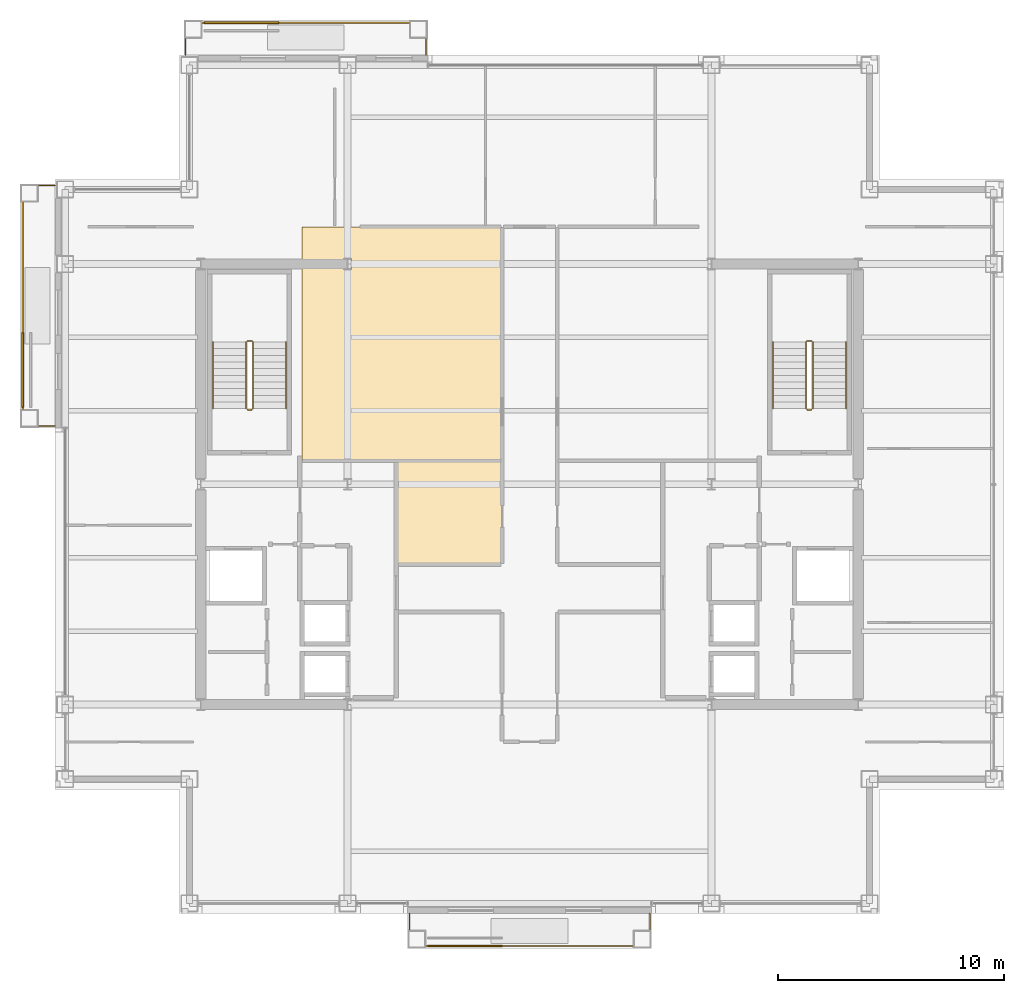
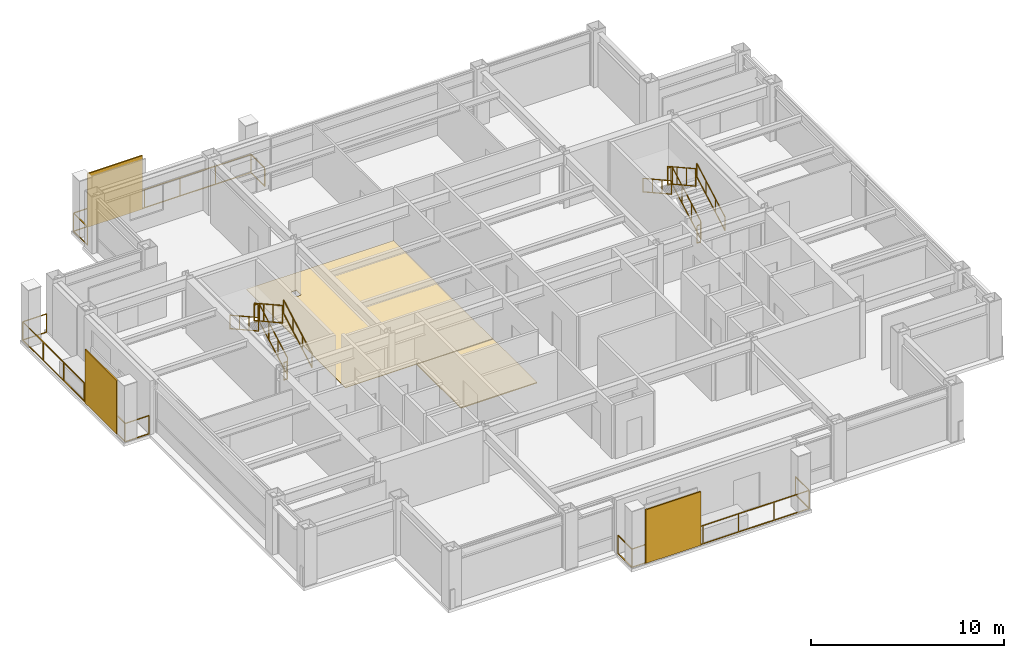
# One storey, part 27 of 28: 15 railings, 3 shading devices, 2 coverings.
"""IFC4 building model written with IfcOpenShell, lengths in metres."""

from ifc_helpers import new_model, si_unit, direction, frame, origin, origin_2d, place, context, subcontext, project, spatial, polyline, rectangle, outline, extrude, material, layer, layer_set, type_object, element, save


model = new_model("IFC4")

# Units and contexts
model_context = context("Model", 3, precision=1e-05, world=origin(), true_north=direction((0.0, 1.0)))
body_context = subcontext(model_context, "Body", "Model", "MODEL_VIEW")
ifc_project = project(units=[si_unit("LENGTHUNIT", "METRE"), si_unit("AREAUNIT", "SQUARE_METRE"), si_unit("VOLUMEUNIT", "CUBIC_METRE"), si_unit("PLANEANGLEUNIT", "RADIAN"), si_unit("MASSUNIT", "GRAM", prefix="KILO")], contexts=[model_context])

# Site, building, storey
site_placement = place(None, origin())
site = spatial("IfcSite", under=ifc_project, at=site_placement, CompositionType="ELEMENT")
building_placement = place(site_placement, origin())
building = spatial("IfcBuilding", under=site, at=building_placement, Name="Brelmoor Portico Tower", CompositionType="ELEMENT")
storey_placement = place(building_placement, frame((0.0, 0.0, 165.89990234375)))
storey = spatial("IfcBuildingStorey", under=building, at=storey_placement, Name="L43", CompositionType="ELEMENT", Elevation=165.89990234375)

# Coverings
ifc_material_1 = material(Name="Calcium-Sulphate Raised Access Floor Panel", Category="steel")
ifc_layer_1 = layer(ifc_material_1, 0.06005859375)
ifc_layer_set_1 = layer_set([ifc_layer_1], Name="Calcium-Sulphate Raised Access Floor Panel")
covering_type_1 = type_object("IfcCoveringType", Name="CV-FLR-ACCESS-60", PredefinedType="FLOORING", material=ifc_layer_set_1)
covering_1_placement = place(storey_placement, origin())
element("IfcCovering", 1, at=covering_1_placement, inside=storey, type_object=covering_type_1, Name="L43 Architectural Floor Finish 02", PredefinedType="FLOORING", context=body_context, shape_type="SweptSolid", body=[
    extrude(outline(polyline([(-5.820068359375, -3.510009765625), (-5.820068359375, 1.0400390625), (-1.239990234375, 1.0400390625), (-1.239990234375, -3.510009765625), (-5.820068359375, -3.510009765625)])), origin(), (0.0, 0.0, 1.0), 0.06005859375),
])
ifc_material_2 = material(Name="Honed Pearl-Grey Granite Paver Finish", Category="masonry")
ifc_layer_2 = layer(ifc_material_2, 0.0380859375)
ifc_layer_set_2 = layer_set([ifc_layer_2], Name="Honed Pearl-Grey Granite Paver Finish")
covering_type_2 = type_object("IfcCoveringType", Name="CV-FLR-GRANITE-38", PredefinedType="FLOORING", material=ifc_layer_set_2)
covering_2_placement = place(storey_placement, origin())
element("IfcCovering", 2, at=covering_2_placement, inside=storey, type_object=covering_type_2, Name="L43 Architectural Floor Finish 01", PredefinedType="FLOORING", context=body_context, shape_type="SweptSolid", body=[
    extrude(outline(polyline([(-10.080078125, 11.3798828125), (-1.239990234375, 11.3798828125), (-1.239990234375, 1.090087890625), (-10.080078125, 1.090087890625), (-10.080078125, 11.3798828125)]), holes=[polyline([(-7.875, 9.5), (-7.875, 10.0), (-8.22509765625, 10.0), (-8.22509765625, 9.5), (-7.875, 9.5)])]), origin(), (0.0, 0.0, 1.0), 0.0380859375),
])

# Railings
ifc_material_3 = material(Name="Perforated Pale Champagne Aluminium Fretwork Guard", Category="aluminium")
railing_type_1 = type_object("IfcRailingType", Name="RL-BALUSTRADE-1200", PredefinedType="BALUSTRADE", material=ifc_material_3)
railing_1_placement = place(storey_placement, frame((-5.320068359375, -19.0, 0.0)))
element("IfcRailing", 3, at=railing_1_placement, inside=storey, type_object=railing_type_1, Name="L43 Tree Balcony Fretwork Balustrade S", PredefinedType="BALUSTRADE", context=body_context, shape_type="SweptSolid", body=[
    extrude(rectangle(XDim=0.048095703125, YDim=0.048095703125, at=origin_2d()), frame((0.0, 0.0, 1.17578125), z_axis=(0.0, -1.0, 0.0), x_axis=(1.0, 0.0, 0.0)), (0.0, 0.0, 1.0), 1.429931640625),
    extrude(rectangle(XDim=0.048095703125, YDim=0.048095703125, at=origin_2d()), frame((0.0, 0.0, 0.02392578125), z_axis=(0.0, -1.0, 0.0), x_axis=(1.0, 0.0, 0.0)), (0.0, 0.0, 1.0), 1.429931640625),
    extrude(rectangle(XDim=0.048095703125, YDim=0.048095703125, at=origin_2d()), frame((0.0, -1.429931640625, 1.17578125), z_axis=(1.0, 0.0, 0.0), x_axis=(0.0, 1.0, 0.0)), (0.0, 0.0, 1.0), 10.64013671875),
    extrude(rectangle(XDim=0.048095703125, YDim=0.048095703125, at=origin_2d()), frame((0.0, -1.429931640625, 0.02392578125), z_axis=(1.0, 0.0, 0.0), x_axis=(0.0, 1.0, 0.0)), (0.0, 0.0, 1.0), 10.64013671875),
    extrude(rectangle(XDim=0.048095703125, YDim=0.048095703125, at=origin_2d()), frame((10.64013671875, -1.429931640625, 1.17578125), z_axis=(0.0, 1.0, 0.0), x_axis=(-1.0, 0.0, 0.0)), (0.0, 0.0, 1.0), 1.429931640625),
    extrude(rectangle(XDim=0.048095703125, YDim=0.048095703125, at=origin_2d()), frame((10.64013671875, -1.429931640625, 0.02392578125), z_axis=(0.0, 1.0, 0.0), x_axis=(-1.0, 0.0, 0.0)), (0.0, 0.0, 1.0), 1.429931640625),
    extrude(rectangle(XDim=0.0419921875, YDim=0.0419921875, at=origin_2d()), origin(), (0.0, 0.0, 1.0), 1.15185546875),
    extrude(rectangle(XDim=0.0419921875, YDim=0.0419921875, at=origin_2d()), frame((0.0, -1.429931640625, 0.0)), (0.0, 0.0, 1.0), 1.15185546875),
    extrude(rectangle(XDim=0.0419921875, YDim=0.0419921875, at=origin_2d()), frame((2.1279296875, -1.429931640625, 0.0)), (0.0, 0.0, 1.0), 1.15185546875),
    extrude(rectangle(XDim=0.0419921875, YDim=0.0419921875, at=origin_2d()), frame((4.256103515625, -1.429931640625, 0.0)), (0.0, 0.0, 1.0), 1.15185546875),
    extrude(rectangle(XDim=0.0419921875, YDim=0.0419921875, at=origin_2d()), frame((6.384033203125, -1.429931640625, 0.0)), (0.0, 0.0, 1.0), 1.15185546875),
    extrude(rectangle(XDim=0.0419921875, YDim=0.0419921875, at=origin_2d()), frame((8.51220703125, -1.429931640625, 0.0)), (0.0, 0.0, 1.0), 1.15185546875),
    extrude(rectangle(XDim=0.0419921875, YDim=0.0419921875, at=origin_2d()), frame((10.64013671875, -1.429931640625, 0.0)), (0.0, 0.0, 1.0), 1.15185546875),
    extrude(rectangle(XDim=0.0419921875, YDim=0.0419921875, at=origin_2d()), frame((10.64013671875, 0.0, 0.0)), (0.0, 0.0, 1.0), 1.15185546875),
])
railing_2_placement = place(storey_placement, frame((-15.219970703125, 19.0, 0.0)))
element("IfcRailing", 4, at=railing_2_placement, inside=storey, type_object=railing_type_1, Name="L43 Tree Balcony Fretwork Balustrade N", PredefinedType="BALUSTRADE", context=body_context, shape_type="SweptSolid", body=[
    extrude(rectangle(XDim=0.048095703125, YDim=0.048095703125, at=origin_2d()), frame((0.0, 0.0, 1.17578125), z_axis=(0.0, 1.0, 0.0), x_axis=(-1.0, 0.0, 0.0)), (0.0, 0.0, 1.0), 1.429931640625),
    extrude(rectangle(XDim=0.048095703125, YDim=0.048095703125, at=origin_2d()), frame((0.0, 0.0, 0.02392578125), z_axis=(0.0, 1.0, 0.0), x_axis=(-1.0, 0.0, 0.0)), (0.0, 0.0, 1.0), 1.429931640625),
    extrude(rectangle(XDim=0.048095703125, YDim=0.048095703125, at=origin_2d()), frame((0.0, 1.429931640625, 1.17578125), z_axis=(1.0, 0.0, 0.0), x_axis=(0.0, 1.0, 0.0)), (0.0, 0.0, 1.0), 10.639892578125),
    extrude(rectangle(XDim=0.048095703125, YDim=0.048095703125, at=origin_2d()), frame((0.0, 1.429931640625, 0.02392578125), z_axis=(1.0, 0.0, 0.0), x_axis=(0.0, 1.0, 0.0)), (0.0, 0.0, 1.0), 10.639892578125),
    extrude(rectangle(XDim=0.048095703125, YDim=0.048095703125, at=origin_2d()), frame((10.639892578125, 1.429931640625, 1.17578125), z_axis=(0.0, -1.0, 0.0), x_axis=(1.0, 0.0, 0.0)), (0.0, 0.0, 1.0), 1.429931640625),
    extrude(rectangle(XDim=0.048095703125, YDim=0.048095703125, at=origin_2d()), frame((10.639892578125, 1.429931640625, 0.02392578125), z_axis=(0.0, -1.0, 0.0), x_axis=(1.0, 0.0, 0.0)), (0.0, 0.0, 1.0), 1.429931640625),
    extrude(rectangle(XDim=0.0419921875, YDim=0.0419921875, at=origin_2d()), origin(), (0.0, 0.0, 1.0), 1.15185546875),
    extrude(rectangle(XDim=0.0419921875, YDim=0.0419921875, at=origin_2d()), frame((0.0, 1.429931640625, 0.0)), (0.0, 0.0, 1.0), 1.15185546875),
    extrude(rectangle(XDim=0.0419921875, YDim=0.0419921875, at=origin_2d()), frame((2.1279296875, 1.429931640625, 0.0)), (0.0, 0.0, 1.0), 1.15185546875),
    extrude(rectangle(XDim=0.0419921875, YDim=0.0419921875, at=origin_2d()), frame((4.255859375, 1.429931640625, 0.0)), (0.0, 0.0, 1.0), 1.15185546875),
    extrude(rectangle(XDim=0.0419921875, YDim=0.0419921875, at=origin_2d()), frame((6.384033203125, 1.429931640625, 0.0)), (0.0, 0.0, 1.0), 1.15185546875),
    extrude(rectangle(XDim=0.0419921875, YDim=0.0419921875, at=origin_2d()), frame((8.511962890625, 1.429931640625, 0.0)), (0.0, 0.0, 1.0), 1.15185546875),
    extrude(rectangle(XDim=0.0419921875, YDim=0.0419921875, at=origin_2d()), frame((10.639892578125, 1.429931640625, 0.0)), (0.0, 0.0, 1.0), 1.15185546875),
    extrude(rectangle(XDim=0.0419921875, YDim=0.0419921875, at=origin_2d()), frame((10.639892578125, 0.0, 0.0)), (0.0, 0.0, 1.0), 1.15185546875),
])
railing_3_placement = place(storey_placement, frame((-21.0, 2.580078125, 0.0)))
element("IfcRailing", 5, at=railing_3_placement, inside=storey, type_object=railing_type_1, Name="L43 Tree Balcony Fretwork Balustrade W", PredefinedType="BALUSTRADE", context=body_context, shape_type="SweptSolid", body=[
    extrude(rectangle(XDim=0.048095703125, YDim=0.048095703125, at=origin_2d()), frame((0.0, 0.0, 1.17578125), z_axis=(-1.0, 0.0, 0.0), x_axis=(0.0, -1.0, 0.0)), (0.0, 0.0, 1.0), 1.429931640625),
    extrude(rectangle(XDim=0.048095703125, YDim=0.048095703125, at=origin_2d()), frame((0.0, 0.0, 0.02392578125), z_axis=(-1.0, 0.0, 0.0), x_axis=(0.0, -1.0, 0.0)), (0.0, 0.0, 1.0), 1.429931640625),
    extrude(rectangle(XDim=0.048095703125, YDim=0.048095703125, at=origin_2d()), frame((-1.429931640625, 0.0, 1.17578125), z_axis=(0.0, 1.0, 0.0), x_axis=(-1.0, 0.0, 0.0)), (0.0, 0.0, 1.0), 10.639892578125),
    extrude(rectangle(XDim=0.048095703125, YDim=0.048095703125, at=origin_2d()), frame((-1.429931640625, 0.0, 0.02392578125), z_axis=(0.0, 1.0, 0.0), x_axis=(-1.0, 0.0, 0.0)), (0.0, 0.0, 1.0), 10.639892578125),
    extrude(rectangle(XDim=0.048095703125, YDim=0.048095703125, at=origin_2d()), frame((-1.429931640625, 10.639892578125, 1.17578125), z_axis=(1.0, 0.0, 0.0), x_axis=(0.0, 1.0, 0.0)), (0.0, 0.0, 1.0), 1.429931640625),
    extrude(rectangle(XDim=0.048095703125, YDim=0.048095703125, at=origin_2d()), frame((-1.429931640625, 10.639892578125, 0.02392578125), z_axis=(1.0, 0.0, 0.0), x_axis=(0.0, 1.0, 0.0)), (0.0, 0.0, 1.0), 1.429931640625),
    extrude(rectangle(XDim=0.0419921875, YDim=0.0419921875, at=origin_2d()), origin(), (0.0, 0.0, 1.0), 1.15185546875),
    extrude(rectangle(XDim=0.0419921875, YDim=0.0419921875, at=origin_2d()), frame((-1.429931640625, 0.0, 0.0)), (0.0, 0.0, 1.0), 1.15185546875),
    extrude(rectangle(XDim=0.0419921875, YDim=0.0419921875, at=origin_2d()), frame((-1.429931640625, 2.1279296875, 0.0)), (0.0, 0.0, 1.0), 1.15185546875),
    extrude(rectangle(XDim=0.0419921875, YDim=0.0419921875, at=origin_2d()), frame((-1.429931640625, 4.255859375, 0.0)), (0.0, 0.0, 1.0), 1.15185546875),
    extrude(rectangle(XDim=0.0419921875, YDim=0.0419921875, at=origin_2d()), frame((-1.429931640625, 6.384033203125, 0.0)), (0.0, 0.0, 1.0), 1.15185546875),
    extrude(rectangle(XDim=0.0419921875, YDim=0.0419921875, at=origin_2d()), frame((-1.429931640625, 8.511962890625, 0.0)), (0.0, 0.0, 1.0), 1.15185546875),
    extrude(rectangle(XDim=0.0419921875, YDim=0.0419921875, at=origin_2d()), frame((-1.429931640625, 10.639892578125, 0.0)), (0.0, 0.0, 1.0), 1.15185546875),
    extrude(rectangle(XDim=0.0419921875, YDim=0.0419921875, at=origin_2d()), frame((0.0, 10.639892578125, 0.0)), (0.0, 0.0, 1.0), 1.15185546875),
])
ifc_material_4 = material(Name="Painted Tubular Steel Q235B", Category="steel")
railing_type_2 = type_object("IfcRailingType", Name="RL-STAIR-GUARD", PredefinedType="GUARDRAIL", material=ifc_material_4)
railing_4_placement = place(storey_placement, frame((-12.239990234375, 3.35009765625, 0.163818359375)))
element("IfcRailing", 6, at=railing_4_placement, inside=storey, type_object=railing_type_2, Name="L43 ST-W stair guard 1", PredefinedType="GUARDRAIL", context=body_context, shape_type="SweptSolid", body=[
    extrude(rectangle(XDim=0.048095703125, YDim=0.048095703125, at=origin_2d()), frame((0.0, 0.0, 1.1259765625), z_axis=(0.0, 0.87448821551, 0.485046761595), x_axis=(-1.0, 0.0, 0.0)), (0.0, 0.0, 1.0), 3.373291015625),
    extrude(rectangle(XDim=0.048095703125, YDim=0.048095703125, at=origin_2d()), frame((0.0, 0.0, 0.02392578125), z_axis=(0.0, 0.87448821551, 0.485046761595), x_axis=(-1.0, 0.0, 0.0)), (0.0, 0.0, 1.0), 3.373291015625),
    extrude(rectangle(XDim=0.0419921875, YDim=0.0419921875, at=origin_2d()), origin(), (0.0, 0.0, 1.0), 1.101806640625),
    extrude(rectangle(XDim=0.0419921875, YDim=0.0419921875, at=origin_2d()), frame((0.0, 0.9833984375, 0.54541015625)), (0.0, 0.0, 1.0), 1.101806640625),
    extrude(rectangle(XDim=0.0419921875, YDim=0.0419921875, at=origin_2d()), frame((0.0, 1.966552734375, 1.0908203125)), (0.0, 0.0, 1.0), 1.101806640625),
    extrude(rectangle(XDim=0.0419921875, YDim=0.0419921875, at=origin_2d()), frame((0.0, 2.949951171875, 1.63623046875)), (0.0, 0.0, 1.0), 1.101806640625),
])
railing_5_placement = place(storey_placement, frame((-12.2900390625, 6.35009765625, 1.800048828125)))
element("IfcRailing", 7, at=railing_5_placement, inside=storey, type_object=railing_type_2, Name="L43 ST-W stair guard 2", PredefinedType="GUARDRAIL", context=body_context, shape_type="SweptSolid", body=[
    extrude(rectangle(XDim=0.048095703125, YDim=0.048095703125, at=origin_2d()), frame((0.0, 0.0, 1.1259765625), z_axis=(-1.0, 0.0, 0.0), x_axis=(0.0, -1.0, 0.0)), (0.0, 0.0, 1.0), 0.199951171875),
    extrude(rectangle(XDim=0.048095703125, YDim=0.048095703125, at=origin_2d()), frame((0.0, 0.0, 0.02392578125), z_axis=(-1.0, 0.0, 0.0), x_axis=(0.0, -1.0, 0.0)), (0.0, 0.0, 1.0), 0.199951171875),
    extrude(rectangle(XDim=0.0419921875, YDim=0.0419921875, at=origin_2d()), origin(), (0.0, 0.0, 1.0), 1.101806640625),
    extrude(rectangle(XDim=0.0419921875, YDim=0.0419921875, at=origin_2d()), frame((-0.199951171875, 0.0, 0.0)), (0.0, 0.0, 1.0), 1.101806640625),
])
railing_6_placement = place(storey_placement, frame((-12.5400390625, 6.300048828125, 1.963623046875)))
element("IfcRailing", 8, at=railing_6_placement, inside=storey, type_object=railing_type_2, Name="L43 ST-W stair guard 3", PredefinedType="GUARDRAIL", context=body_context, shape_type="SweptSolid", body=[
    extrude(rectangle(XDim=0.048095703125, YDim=0.048095703125, at=origin_2d()), frame((0.0, 0.0, 1.1259765625), z_axis=(0.0, -0.874457516365, 0.485102104791), x_axis=(1.0, 0.0, 0.0)), (0.0, 0.0, 1.0), 3.37353515625),
    extrude(rectangle(XDim=0.048095703125, YDim=0.048095703125, at=origin_2d()), frame((0.0, 0.0, 0.02392578125), z_axis=(0.0, -0.874457516365, 0.485102104791), x_axis=(1.0, 0.0, 0.0)), (0.0, 0.0, 1.0), 3.37353515625),
    extrude(rectangle(XDim=0.0419921875, YDim=0.0419921875, at=origin_2d()), origin(), (0.0, 0.0, 1.0), 1.101806640625),
    extrude(rectangle(XDim=0.0419921875, YDim=0.0419921875, at=origin_2d()), frame((0.0, -0.9833984375, 0.54541015625)), (0.0, 0.0, 1.0), 1.101806640625),
    extrude(rectangle(XDim=0.0419921875, YDim=0.0419921875, at=origin_2d()), frame((0.0, -1.966552734375, 1.091064453125)), (0.0, 0.0, 1.0), 1.101806640625),
    extrude(rectangle(XDim=0.0419921875, YDim=0.0419921875, at=origin_2d()), frame((0.0, -2.949951171875, 1.636474609375)), (0.0, 0.0, 1.0), 1.101806640625),
])
railing_7_placement = place(storey_placement, frame((-12.2900390625, 3.300048828125, 0.0)))
element("IfcRailing", 9, at=railing_7_placement, inside=storey, type_object=railing_type_2, Name="L43 ST-W stair guard 4", PredefinedType="GUARDRAIL", context=body_context, shape_type="SweptSolid", body=[
    extrude(rectangle(XDim=0.048095703125, YDim=0.048095703125, at=origin_2d()), frame((0.0, 0.0, 1.1259765625), z_axis=(-1.0, 0.0, 0.0), x_axis=(0.0, -1.0, 0.0)), (0.0, 0.0, 1.0), 0.199951171875),
    extrude(rectangle(XDim=0.048095703125, YDim=0.048095703125, at=origin_2d()), frame((0.0, 0.0, 0.02392578125), z_axis=(-1.0, 0.0, 0.0), x_axis=(0.0, -1.0, 0.0)), (0.0, 0.0, 1.0), 0.199951171875),
    extrude(rectangle(XDim=0.0419921875, YDim=0.0419921875, at=origin_2d()), origin(), (0.0, 0.0, 1.0), 1.101806640625),
    extrude(rectangle(XDim=0.0419921875, YDim=0.0419921875, at=origin_2d()), frame((-0.199951171875, 0.0, 0.0)), (0.0, 0.0, 1.0), 1.101806640625),
])
railing_8_placement = place(storey_placement, frame((12.5400390625, 3.35009765625, 0.163818359375)))
element("IfcRailing", 10, at=railing_8_placement, inside=storey, type_object=railing_type_2, Name="L43 ST-E stair guard 1", PredefinedType="GUARDRAIL", context=body_context, shape_type="SweptSolid", body=[
    extrude(rectangle(XDim=0.048095703125, YDim=0.048095703125, at=origin_2d()), frame((0.0, 0.0, 1.1259765625), z_axis=(0.0, 0.87448821551, 0.485046761595), x_axis=(-1.0, 0.0, 0.0)), (0.0, 0.0, 1.0), 3.373291015625),
    extrude(rectangle(XDim=0.048095703125, YDim=0.048095703125, at=origin_2d()), frame((0.0, 0.0, 0.02392578125), z_axis=(0.0, 0.87448821551, 0.485046761595), x_axis=(-1.0, 0.0, 0.0)), (0.0, 0.0, 1.0), 3.373291015625),
    extrude(rectangle(XDim=0.0419921875, YDim=0.0419921875, at=origin_2d()), origin(), (0.0, 0.0, 1.0), 1.101806640625),
    extrude(rectangle(XDim=0.0419921875, YDim=0.0419921875, at=origin_2d()), frame((0.0, 0.9833984375, 0.54541015625)), (0.0, 0.0, 1.0), 1.101806640625),
    extrude(rectangle(XDim=0.0419921875, YDim=0.0419921875, at=origin_2d()), frame((0.0, 1.966552734375, 1.0908203125)), (0.0, 0.0, 1.0), 1.101806640625),
    extrude(rectangle(XDim=0.0419921875, YDim=0.0419921875, at=origin_2d()), frame((0.0, 2.949951171875, 1.63623046875)), (0.0, 0.0, 1.0), 1.101806640625),
])
railing_9_placement = place(storey_placement, frame((12.489990234375, 6.35009765625, 1.800048828125)))
element("IfcRailing", 11, at=railing_9_placement, inside=storey, type_object=railing_type_2, Name="L43 ST-E stair guard 2", PredefinedType="GUARDRAIL", context=body_context, shape_type="SweptSolid", body=[
    extrude(rectangle(XDim=0.048095703125, YDim=0.048095703125, at=origin_2d()), frame((0.0, 0.0, 1.1259765625), z_axis=(-1.0, 0.0, 0.0), x_axis=(0.0, -1.0, 0.0)), (0.0, 0.0, 1.0), 0.199951171875),
    extrude(rectangle(XDim=0.048095703125, YDim=0.048095703125, at=origin_2d()), frame((0.0, 0.0, 0.02392578125), z_axis=(-1.0, 0.0, 0.0), x_axis=(0.0, -1.0, 0.0)), (0.0, 0.0, 1.0), 0.199951171875),
    extrude(rectangle(XDim=0.0419921875, YDim=0.0419921875, at=origin_2d()), origin(), (0.0, 0.0, 1.0), 1.101806640625),
    extrude(rectangle(XDim=0.0419921875, YDim=0.0419921875, at=origin_2d()), frame((-0.199951171875, 0.0, 0.0)), (0.0, 0.0, 1.0), 1.101806640625),
])
railing_10_placement = place(storey_placement, frame((12.239990234375, 6.300048828125, 1.963623046875)))
element("IfcRailing", 12, at=railing_10_placement, inside=storey, type_object=railing_type_2, Name="L43 ST-E stair guard 3", PredefinedType="GUARDRAIL", context=body_context, shape_type="SweptSolid", body=[
    extrude(rectangle(XDim=0.048095703125, YDim=0.048095703125, at=origin_2d()), frame((0.0, 0.0, 1.1259765625), z_axis=(0.0, -0.874457516365, 0.485102104791), x_axis=(1.0, 0.0, 0.0)), (0.0, 0.0, 1.0), 3.37353515625),
    extrude(rectangle(XDim=0.048095703125, YDim=0.048095703125, at=origin_2d()), frame((0.0, 0.0, 0.02392578125), z_axis=(0.0, -0.874457516365, 0.485102104791), x_axis=(1.0, 0.0, 0.0)), (0.0, 0.0, 1.0), 3.37353515625),
    extrude(rectangle(XDim=0.0419921875, YDim=0.0419921875, at=origin_2d()), origin(), (0.0, 0.0, 1.0), 1.101806640625),
    extrude(rectangle(XDim=0.0419921875, YDim=0.0419921875, at=origin_2d()), frame((0.0, -0.9833984375, 0.54541015625)), (0.0, 0.0, 1.0), 1.101806640625),
    extrude(rectangle(XDim=0.0419921875, YDim=0.0419921875, at=origin_2d()), frame((0.0, -1.966552734375, 1.091064453125)), (0.0, 0.0, 1.0), 1.101806640625),
    extrude(rectangle(XDim=0.0419921875, YDim=0.0419921875, at=origin_2d()), frame((0.0, -2.949951171875, 1.636474609375)), (0.0, 0.0, 1.0), 1.101806640625),
])
railing_11_placement = place(storey_placement, frame((12.489990234375, 3.300048828125, 0.0)))
element("IfcRailing", 13, at=railing_11_placement, inside=storey, type_object=railing_type_2, Name="L43 ST-E stair guard 4", PredefinedType="GUARDRAIL", context=body_context, shape_type="SweptSolid", body=[
    extrude(rectangle(XDim=0.048095703125, YDim=0.048095703125, at=origin_2d()), frame((0.0, 0.0, 1.1259765625), z_axis=(-1.0, 0.0, 0.0), x_axis=(0.0, -1.0, 0.0)), (0.0, 0.0, 1.0), 0.199951171875),
    extrude(rectangle(XDim=0.048095703125, YDim=0.048095703125, at=origin_2d()), frame((0.0, 0.0, 0.02392578125), z_axis=(-1.0, 0.0, 0.0), x_axis=(0.0, -1.0, 0.0)), (0.0, 0.0, 1.0), 0.199951171875),
    extrude(rectangle(XDim=0.0419921875, YDim=0.0419921875, at=origin_2d()), origin(), (0.0, 0.0, 1.0), 1.101806640625),
    extrude(rectangle(XDim=0.0419921875, YDim=0.0419921875, at=origin_2d()), frame((-0.199951171875, 0.0, 0.0)), (0.0, 0.0, 1.0), 1.101806640625),
])
ifc_material_5 = material(Name="Brushed Stainless Steel 304", Category="steel")
railing_type_3 = type_object("IfcRailingType", Name="RL-STAIR-HANDRAIL", PredefinedType="HANDRAIL", material=ifc_material_5)
railing_12_placement = place(storey_placement, frame((-10.780029296875, 3.35009765625, 0.163818359375)))
element("IfcRailing", 14, at=railing_12_placement, inside=storey, type_object=railing_type_3, Name="L43 ST-W stair handrail 1", PredefinedType="HANDRAIL", context=body_context, shape_type="SweptSolid", body=[
    extrude(rectangle(XDim=0.048095703125, YDim=0.048095703125, at=origin_2d()), frame((0.0, 0.0, 0.8759765625), z_axis=(0.0, 0.87448821551, 0.485046761595), x_axis=(-1.0, 0.0, 0.0)), (0.0, 0.0, 1.0), 3.373291015625),
    extrude(rectangle(XDim=0.048095703125, YDim=0.048095703125, at=origin_2d()), frame((0.0, 0.0, 0.02392578125), z_axis=(0.0, 0.87448821551, 0.485046761595), x_axis=(-1.0, 0.0, 0.0)), (0.0, 0.0, 1.0), 3.373291015625),
    extrude(rectangle(XDim=0.0419921875, YDim=0.0419921875, at=origin_2d()), origin(), (0.0, 0.0, 1.0), 0.851806640625),
    extrude(rectangle(XDim=0.0419921875, YDim=0.0419921875, at=origin_2d()), frame((0.0, 0.9833984375, 0.54541015625)), (0.0, 0.0, 1.0), 0.851806640625),
    extrude(rectangle(XDim=0.0419921875, YDim=0.0419921875, at=origin_2d()), frame((0.0, 1.966552734375, 1.0908203125)), (0.0, 0.0, 1.0), 0.851806640625),
    extrude(rectangle(XDim=0.0419921875, YDim=0.0419921875, at=origin_2d()), frame((0.0, 2.949951171875, 1.63623046875)), (0.0, 0.0, 1.0), 0.851806640625),
])
railing_13_placement = place(storey_placement, frame((-14.0, 6.300048828125, 1.963623046875)))
element("IfcRailing", 15, at=railing_13_placement, inside=storey, type_object=railing_type_3, Name="L43 ST-W stair handrail 2", PredefinedType="HANDRAIL", context=body_context, shape_type="SweptSolid", body=[
    extrude(rectangle(XDim=0.048095703125, YDim=0.048095703125, at=origin_2d()), frame((0.0, 0.0, 0.8759765625), z_axis=(0.0, -0.874457516365, 0.485102104791), x_axis=(1.0, 0.0, 0.0)), (0.0, 0.0, 1.0), 3.37353515625),
    extrude(rectangle(XDim=0.048095703125, YDim=0.048095703125, at=origin_2d()), frame((0.0, 0.0, 0.02392578125), z_axis=(0.0, -0.874457516365, 0.485102104791), x_axis=(1.0, 0.0, 0.0)), (0.0, 0.0, 1.0), 3.37353515625),
    extrude(rectangle(XDim=0.0419921875, YDim=0.0419921875, at=origin_2d()), origin(), (0.0, 0.0, 1.0), 0.851806640625),
    extrude(rectangle(XDim=0.0419921875, YDim=0.0419921875, at=origin_2d()), frame((0.0, -0.9833984375, 0.54541015625)), (0.0, 0.0, 1.0), 0.851806640625),
    extrude(rectangle(XDim=0.0419921875, YDim=0.0419921875, at=origin_2d()), frame((0.0, -1.966552734375, 1.091064453125)), (0.0, 0.0, 1.0), 0.851806640625),
    extrude(rectangle(XDim=0.0419921875, YDim=0.0419921875, at=origin_2d()), frame((0.0, -2.949951171875, 1.636474609375)), (0.0, 0.0, 1.0), 0.851806640625),
])
railing_14_placement = place(storey_placement, frame((14.0, 3.35009765625, 0.163818359375)))
element("IfcRailing", 16, at=railing_14_placement, inside=storey, type_object=railing_type_3, Name="L43 ST-E stair handrail 1", PredefinedType="HANDRAIL", context=body_context, shape_type="SweptSolid", body=[
    extrude(rectangle(XDim=0.048095703125, YDim=0.048095703125, at=origin_2d()), frame((0.0, 0.0, 0.8759765625), z_axis=(0.0, 0.87448821551, 0.485046761595), x_axis=(-1.0, 0.0, 0.0)), (0.0, 0.0, 1.0), 3.373291015625),
    extrude(rectangle(XDim=0.048095703125, YDim=0.048095703125, at=origin_2d()), frame((0.0, 0.0, 0.02392578125), z_axis=(0.0, 0.87448821551, 0.485046761595), x_axis=(-1.0, 0.0, 0.0)), (0.0, 0.0, 1.0), 3.373291015625),
    extrude(rectangle(XDim=0.0419921875, YDim=0.0419921875, at=origin_2d()), origin(), (0.0, 0.0, 1.0), 0.851806640625),
    extrude(rectangle(XDim=0.0419921875, YDim=0.0419921875, at=origin_2d()), frame((0.0, 0.9833984375, 0.54541015625)), (0.0, 0.0, 1.0), 0.851806640625),
    extrude(rectangle(XDim=0.0419921875, YDim=0.0419921875, at=origin_2d()), frame((0.0, 1.966552734375, 1.0908203125)), (0.0, 0.0, 1.0), 0.851806640625),
    extrude(rectangle(XDim=0.0419921875, YDim=0.0419921875, at=origin_2d()), frame((0.0, 2.949951171875, 1.63623046875)), (0.0, 0.0, 1.0), 0.851806640625),
])
railing_15_placement = place(storey_placement, frame((10.780029296875, 6.300048828125, 1.963623046875)))
element("IfcRailing", 17, at=railing_15_placement, inside=storey, type_object=railing_type_3, Name="L43 ST-E stair handrail 2", PredefinedType="HANDRAIL", context=body_context, shape_type="SweptSolid", body=[
    extrude(rectangle(XDim=0.048095703125, YDim=0.048095703125, at=origin_2d()), frame((0.0, 0.0, 0.8759765625), z_axis=(0.0, -0.874457516365, 0.485102104791), x_axis=(1.0, 0.0, 0.0)), (0.0, 0.0, 1.0), 3.37353515625),
    extrude(rectangle(XDim=0.048095703125, YDim=0.048095703125, at=origin_2d()), frame((0.0, 0.0, 0.02392578125), z_axis=(0.0, -0.874457516365, 0.485102104791), x_axis=(1.0, 0.0, 0.0)), (0.0, 0.0, 1.0), 3.37353515625),
    extrude(rectangle(XDim=0.0419921875, YDim=0.0419921875, at=origin_2d()), origin(), (0.0, 0.0, 1.0), 0.851806640625),
    extrude(rectangle(XDim=0.0419921875, YDim=0.0419921875, at=origin_2d()), frame((0.0, -0.9833984375, 0.54541015625)), (0.0, 0.0, 1.0), 0.851806640625),
    extrude(rectangle(XDim=0.0419921875, YDim=0.0419921875, at=origin_2d()), frame((0.0, -1.966552734375, 1.091064453125)), (0.0, 0.0, 1.0), 0.851806640625),
    extrude(rectangle(XDim=0.0419921875, YDim=0.0419921875, at=origin_2d()), frame((0.0, -2.949951171875, 1.636474609375)), (0.0, 0.0, 1.0), 0.851806640625),
])

# Shading devices
ifc_material_6 = material(Name="Powder-Coated Aluminium Shuttered Jalousie", Category="aluminium")
ifc_layer_3 = layer(ifc_material_6, 0.080078125)
ifc_layer_set_3 = layer_set([ifc_layer_3], Name="Powder-Coated Aluminium Shuttered Jalousie")
shading_device_type = type_object("IfcShadingDeviceType", Name="SD-JALOUSIE-LOGGIA", PredefinedType="JALOUSIE", material=ifc_layer_set_3)
for number, where, z_axis, x_axis, name in (
    (18, (-2.85009765625, -20.429931640625, 0.000244140625), (0.0, 0.0, 1.0), (1.0, 0.0, 0.0), "L43 Loggia Shuttered Jalousie S"),
    (19, (-12.75, 20.429931640625, 0.000244140625), (0.0, 0.0, 1.0), (1.0, 0.0, 0.0), "L43 Loggia Shuttered Jalousie N"),
    (20, (-22.429931640625, 5.050048828125, 0.000244140625), (0.0, 0.0, 1.0), (0.0, 1.0, 0.0), "L43 Loggia Shuttered Jalousie W"),
):
    element("IfcShadingDevice", number, at=place(storey_placement, frame(where, z_axis=z_axis, x_axis=x_axis)), inside=storey, type_object=shading_device_type, Name=name, PredefinedType="JALOUSIE", context=body_context, shape_type="SweptSolid", body=[
        extrude(rectangle(XDim=3.300048828125, YDim=0.080078125, at=origin_2d()), origin(), (0.0, 0.0, 1.0), 3.39990234375),
    ])

save(model, "model.ifc")
